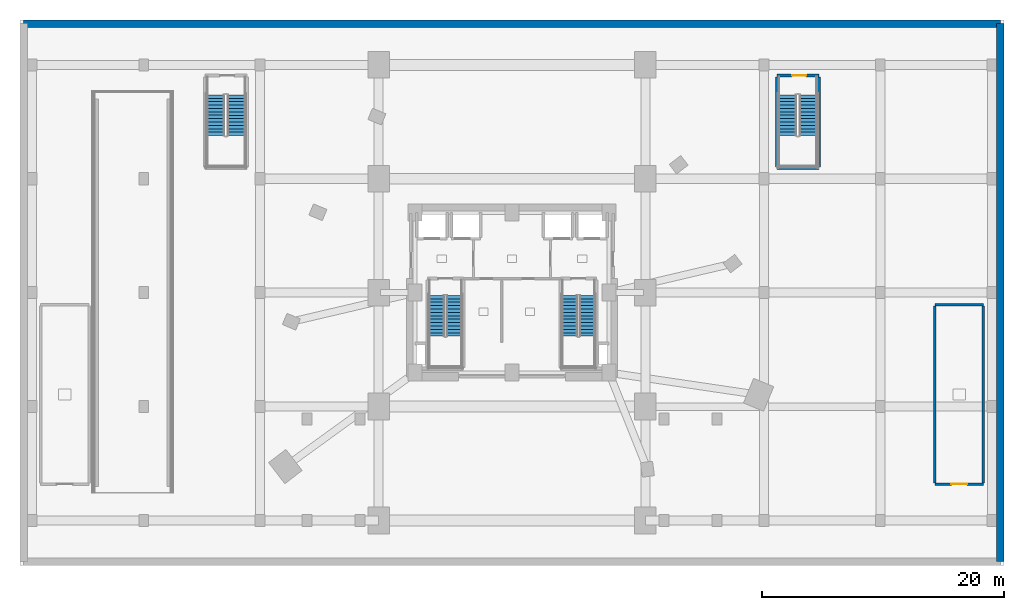
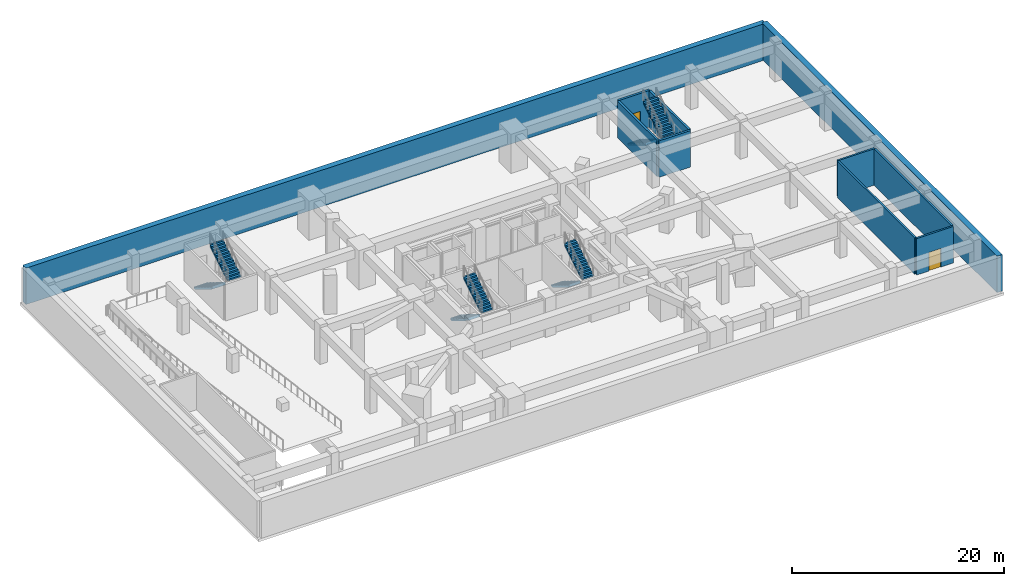
# One storey, part 4 of 9: 10 walls, 8 stair flights, 2 doors, 2 openings, 4 elements without a shape of their own.
"""IFC4 building model written with IfcOpenShell, lengths in metres."""

import ifcopenshell
import ifcopenshell.guid

model = None  # the IFC model being written
_history = None  # IfcOwnerHistory: only IFC2X3 demands one
_inside = {}  # id of a spatial element -> (the spatial element, [elements in it])
_under = {}  # id of a project, library or spatial element -> (it, [spatial elements below it])
_declared = {}  # id of a project -> (the project, [libraries it declares])
_typed = {}  # id of a type object -> (the type object, [elements of that type])
_made_of = {}  # id of a material, layer set ... -> (it, [elements and type objects made of it])


def new_model(schema):
    """Start an empty IFC model of exactly this schema.

    Asked for "IFC4X3", IfcOpenShell would pick the latest addendum, in which some entities
    have other attributes; the version numbers below select the first issue.
    IFC2X3 requires an IfcOwnerHistory on every rooted entity: one is made here for all.
    """
    global model, _history
    if schema == "IFC4X3":
        model = ifcopenshell.file(schema_version=(4, 3, 0, 0))
    else:
        model = ifcopenshell.file(schema=schema)
    _inside.clear()
    _under.clear()
    _declared.clear()
    _typed.clear()
    _made_of.clear()
    _history = None
    if model.schema == "IFC2X3":
        org = make("IfcOrganization", Name="unknown")
        user = make(
            "IfcPersonAndOrganization",
            ThePerson=make("IfcPerson", FamilyName="unknown"),
            TheOrganization=org,
        )
        app = make(
            "IfcApplication",
            ApplicationDeveloper=org,
            Version="unknown",
            ApplicationFullName="unknown",
            ApplicationIdentifier="unknown",
        )
        _history = make(
            "IfcOwnerHistory",
            OwningUser=user,
            OwningApplication=app,
            ChangeAction="ADDED",
            CreationDate=0,
        )
    return model


def make(cls, **values):
    """One entity of the class cls with the attributes given. An attribute that is None is left unset."""
    return model.create_entity(
        cls, **{name: value for name, value in values.items() if value is not None}
    )


def rooted(cls, **values):
    """An entity with a GlobalId (a new one), such as an element, a storey or a relation."""
    return make(cls, GlobalId=ifcopenshell.guid.new(), OwnerHistory=_history, **values)


def si_unit(unit_type, name, prefix=None):
    """IfcSIUnit, for example si_unit("LENGTHUNIT", "METRE", prefix="MILLI")."""
    return make("IfcSIUnit", UnitType=unit_type, Prefix=prefix, Name=name)


def assignment(units):
    """IfcUnitAssignment: the units of a project."""
    return None if units is None else make("IfcUnitAssignment", Units=units)


def point(xyz):
    """IfcCartesianPoint."""
    return None if xyz is None else make("IfcCartesianPoint", Coordinates=xyz)


def direction(xyz):
    """IfcDirection."""
    return None if xyz is None else make("IfcDirection", DirectionRatios=xyz)


def frame(location, z_axis=None, x_axis=None):
    """IfcAxis2Placement3D, a coordinate frame: its origin and axes. An axis left out is left unset."""
    return make(
        "IfcAxis2Placement3D",
        Location=point(location),
        Axis=direction(z_axis),
        RefDirection=direction(x_axis),
    )


def frame_2d(location, x_axis=None):
    """IfcAxis2Placement2D, a coordinate frame in the plane: its origin and x axis."""
    return make(
        "IfcAxis2Placement2D", Location=point(location), RefDirection=direction(x_axis)
    )


def origin():
    """The frame at (0, 0, 0) with its axes left unset."""
    return frame((0.0, 0.0, 0.0))


def place(relative_to, where):
    """IfcLocalPlacement: puts the frame where relative to a parent placement (None: the world)."""
    return make(
        "IfcLocalPlacement", PlacementRelTo=relative_to, RelativePlacement=where
    )


def context(
    kind, dimensions, precision=None, world=None, true_north=None, identifier=None
):
    """IfcGeometricRepresentationContext, for example the 3D "Model" context."""
    return make(
        "IfcGeometricRepresentationContext",
        ContextIdentifier=identifier,
        ContextType=kind,
        CoordinateSpaceDimension=dimensions,
        Precision=precision,
        WorldCoordinateSystem=world,
        TrueNorth=true_north,
    )


def subcontext(parent, identifier, kind, view, scale=None):
    """IfcGeometricRepresentationSubContext, for example "Body" below "Model"."""
    return make(
        "IfcGeometricRepresentationSubContext",
        ContextIdentifier=identifier,
        ContextType=kind,
        ParentContext=parent,
        TargetScale=scale,
        TargetView=view,
    )


def project(units=None, contexts=None):
    """IfcProject with its units and contexts."""
    return rooted(
        "IfcProject",
        Name="project",
        RepresentationContexts=contexts,
        UnitsInContext=assignment(units),
    )


def spatial(cls, under=None, at=None, **own):
    """A site, building, storey or space (cls), placed at a placement, below another one or the project."""
    s = rooted(cls, ObjectPlacement=at, **own)
    if under is not None:
        _under.setdefault(under.id(), (under, []))[1].append(s)
    return s


def polyline(points):
    """IfcPolyline through the points."""
    return make("IfcPolyline", Points=[point(p) for p in points])


def profile(cls, at=None, kind="AREA", **sizes):
    """A parametric profile (cls). Its sizes go by their IFC names, for example OverallWidth=200.0."""
    return make(cls, ProfileType=kind, Position=at, **sizes)


def rectangle(**sizes):
    """IfcRectangleProfileDef."""
    return profile("IfcRectangleProfileDef", **sizes)


def outline(outer, holes=None, kind="AREA"):
    """IfcArbitraryClosedProfileDef: a profile drawn as a closed curve; with holes, ...WithVoids."""
    if holes is None:
        return make("IfcArbitraryClosedProfileDef", ProfileType=kind, OuterCurve=outer)
    return make(
        "IfcArbitraryProfileDefWithVoids",
        ProfileType=kind,
        OuterCurve=outer,
        InnerCurves=holes,
    )


def extrude(swept, where, along, depth):
    """IfcExtrudedAreaSolid: the profile swept, set in the frame where, extruded along a direction by depth."""
    return make(
        "IfcExtrudedAreaSolid",
        SweptArea=swept,
        Position=where,
        ExtrudedDirection=direction(along),
        Depth=depth,
    )


def shape(context_of_items, identifier, shape_type, items):
    """IfcShapeRepresentation: the items that make up one representation, for example the "Body"."""
    return make(
        "IfcShapeRepresentation",
        ContextOfItems=context_of_items,
        RepresentationIdentifier=identifier,
        RepresentationType=shape_type,
        Items=items,
    )


def material(Name=None, Category=None):
    """IfcMaterial."""
    return make("IfcMaterial", Name=Name, Category=Category)


def layer(
    of_material, thickness, ventilated=None, Name=None, Category=None, Priority=None
):
    """IfcMaterialLayer: one layer of a wall or slab, of a material (None: an air gap)."""
    return make(
        "IfcMaterialLayer",
        Material=of_material,
        LayerThickness=thickness,
        IsVentilated=ventilated,
        Name=Name,
        Category=Category,
        Priority=Priority,
    )


def layer_set(layers, Name=None):
    """IfcMaterialLayerSet."""
    return make("IfcMaterialLayerSet", MaterialLayers=layers, LayerSetName=Name)


def made_of(thing, what):
    """Note that an element or type object is made of a material, layer set ...; save() writes the relation."""
    if what is not None:
        _made_of.setdefault(what.id(), (what, []))[1].append(thing)
    return thing


def type_object(cls, material=None, **own):
    """A type object (cls), such as IfcWallType, which elements share."""
    return made_of(rooted(cls, **own), material)


def element(
    cls,
    number,
    at=None,
    inside=None,
    cuts=None,
    type_object=None,
    material=None,
    context=None,
    identifier="Body",
    shape_type=None,
    held_by="IfcProductDefinitionShape",
    body=None,
    shapes=None,
    **own,
):
    """One element of the class cls, such as IfcWall. Its Tag is "e" and its number.

    at: its placement. inside: the storey or other place that contains it. cuts: it is an
    opening in that element (IfcRelVoidsElement). A single representation is given by context,
    identifier, shape_type and body (its items); several are given by shapes. held_by: the class
    of the entity that holds the representations. save() writes the other relations.
    """
    e = rooted(cls, Tag="e%d" % number, ObjectPlacement=at, **own)
    if body is not None:
        shapes = [shape(context, identifier, shape_type, body)]
    if shapes is not None:
        e.Representation = make(held_by, Representations=shapes)
    if inside is not None:
        _inside.setdefault(inside.id(), (inside, []))[1].append(e)
    if cuts is not None:
        rooted(
            "IfcRelVoidsElement", RelatingBuildingElement=cuts, RelatedOpeningElement=e
        )
    if type_object is not None:
        _typed.setdefault(type_object.id(), (type_object, []))[1].append(e)
    return made_of(e, material)


def fill(opening, filler):
    """IfcRelFillsElement: the door or window that sits in an opening."""
    return rooted(
        "IfcRelFillsElement",
        RelatingOpeningElement=opening,
        RelatedBuildingElement=filler,
    )


def aggregate(whole, parts):
    """IfcRelAggregates: a whole, such as a stair, and the parts it consists of."""
    return rooted("IfcRelAggregates", RelatingObject=whole, RelatedObjects=parts)


def save(model, path):
    """Write the relations noted so far, then the file.

    IfcRelAggregates (storeys below a building ...), IfcRelContainedInSpatialStructure (elements
    in a storey), IfcRelDefinesByType, IfcRelAssociatesMaterial and IfcRelDeclares: one each for
    every whole, place, type object, material and project.
    """
    for whole, parts in _under.values():
        aggregate(whole, parts)
    for where, things in _inside.values():
        rooted(
            "IfcRelContainedInSpatialStructure",
            RelatedElements=things,
            RelatingStructure=where,
        )
    for kind, things in _typed.values():
        rooted("IfcRelDefinesByType", RelatedObjects=things, RelatingType=kind)
    for what, things in _made_of.values():
        rooted("IfcRelAssociatesMaterial", RelatedObjects=things, RelatingMaterial=what)
    for by, libraries in _declared.values():
        rooted("IfcRelDeclares", RelatingContext=by, RelatedDefinitions=libraries)
    model.write(path)


model = new_model("IFC4")

# Units and contexts
model_context = context("Model", 3, precision=1e-05, world=origin(), true_north=direction((0.0, 1.0)))
body_context = subcontext(model_context, "Body", "Model", "MODEL_VIEW")
ifc_project = project(units=[si_unit("LENGTHUNIT", "METRE"), si_unit("AREAUNIT", "SQUARE_METRE"), si_unit("VOLUMEUNIT", "CUBIC_METRE"), si_unit("PLANEANGLEUNIT", "RADIAN"), si_unit("MASSUNIT", "GRAM", prefix="KILO")], contexts=[model_context])

# Site, building, storey
site_placement = place(None, origin())
site = spatial("IfcSite", under=ifc_project, at=site_placement, CompositionType="ELEMENT")
building_placement = place(site_placement, origin())
building = spatial("IfcBuilding", under=site, at=building_placement, Name="Ndelora Gate Hotel", CompositionType="ELEMENT")
storey_placement = place(building_placement, frame((0.0, 0.0, -9.0)))
storey = spatial("IfcBuildingStorey", under=building, at=storey_placement, Name="B02", CompositionType="ELEMENT", Elevation=-9.0)

# Wall
ifc_material_1 = material(Name="Concrete C40/50", Category="concrete")
ifc_layer_1 = layer(ifc_material_1, 0.199951171875)
ifc_layer_set_1 = layer_set([ifc_layer_1], Name="Concrete C40/50")
wall_type_1 = type_object("IfcWallType", Name="WL-FIRE-200", PredefinedType="PARTITIONING", material=ifc_layer_set_1)
wall_1_placement = place(storey_placement, frame((34.89990234375, -1.0, 0.0), z_axis=(0.0, 0.0, 1.0), x_axis=(1.0, 0.0, 0.0)))
element("IfcWall", 1, at=wall_1_placement, inside=storey, type_object=wall_type_1, Name="B02 Interior Wall IW-2", PredefinedType="PARTITIONING", context=body_context, shape_type="SweptSolid", body=[
    extrude(rectangle(XDim=4.0, YDim=0.199951171875, at=frame_2d((2.0, 0.0))), origin(), (0.0, 0.0, 1.0), 4.199951171875),
])

# Wall, opening, door
wall_2_placement = place(storey_placement, frame((34.89990234375, -15.800048828125, 0.0), z_axis=(0.0, 0.0, 1.0), x_axis=(1.0, 0.0, 0.0)))
wall_2 = element("IfcWall", 2, at=wall_2_placement, inside=storey, type_object=wall_type_1, Name="B02 Interior Wall IW-2", PredefinedType="PARTITIONING", context=body_context, shape_type="SweptSolid", body=[
    extrude(rectangle(XDim=4.0, YDim=0.199951171875, at=frame_2d((2.0, 0.0))), origin(), (0.0, 0.0, 1.0), 4.199951171875),
])
opening_1_placement = place(wall_2_placement, frame((1.35009765625, 0.0, 0.0)))
opening_1 = element("IfcOpeningElement", 3, at=opening_1_placement, cuts=wall_2, Name="Opening FD3", PredefinedType="OPENING", context=body_context, shape_type="SweptSolid", body=[
    extrude(rectangle(XDim=1.300048828125, YDim=2.14990234375, at=frame_2d((0.64990234375, 1.074951171875))), frame((0.0, 0.10986328125, 0.0), z_axis=(0.0, -1.0, 0.0), x_axis=(1.0, 0.0, 0.0)), (0.0, 0.0, 1.0), 0.219970703125),
])
ifc_material_2 = material(Name="Insulated Steel Plant Room Fire Door", Category="steel")
door_type_1 = type_object("IfcDoorType", Name="DR-PLT-1300", OperationType="SINGLE_SWING_LEFT", PredefinedType="DOOR", material=ifc_material_2)
door_1_placement = place(opening_1_placement, origin())
door_1 = element("IfcDoor", 4, at=door_1_placement, inside=storey, type_object=door_type_1, Name="B02 Staff Lockers and Uniform Store Door", OperationType="SINGLE_SWING_RIGHT", OverallHeight=2.14990234375, OverallWidth=1.300048828125, PredefinedType="DOOR", context=body_context, shape_type="SweptSolid", body=[
    extrude(rectangle(XDim=1.300048828125, YDim=2.14990234375, at=frame_2d((0.64990234375, 1.074951171875))), frame((0.0, 0.02490234375, 0.0), z_axis=(0.0, -1.0, 0.0), x_axis=(1.0, 0.0, 0.0)), (0.0, 0.0, 1.0), 0.050048828125),
])
fill(opening_1, door_1)

# Walls
for number, where, z_axis, x_axis, name in (
    (5, (34.89990234375, -1.110107421875, 0.0), (0.0, 0.0, 1.0), (0.0, -1.0, 0.0), "B02 Interior Wall IW-2"),
    (6, (38.89990234375, -15.68994140625, 0.0), (0.0, 0.0, 1.0), (0.0, 1.0, 0.0), "B02 Interior Wall IW-2"),
):
    element("IfcWall", number, at=place(storey_placement, frame(where, z_axis=z_axis, x_axis=x_axis)), inside=storey, type_object=wall_type_1, Name=name, PredefinedType="PARTITIONING", context=body_context, shape_type="SweptSolid", body=[
        extrude(rectangle(XDim=14.579833984375, YDim=0.199951171875, at=frame_2d((7.2900390625, 0.0))), origin(), (0.0, 0.0, 1.0), 4.199951171875),
    ])
ifc_layer_2 = layer(ifc_material_1, 0.60009765625)
ifc_layer_set_2 = layer_set([ifc_layer_2], Name="Concrete C40/50")
wall_type_2 = type_object("IfcWallType", Name="WL-RET-600", PredefinedType="SOLIDWALL", material=ifc_layer_set_2)
wall_3_placement = place(storey_placement, frame((40.300048828125, -22.199951171875, 0.0), z_axis=(0.0, 0.0, 1.0), x_axis=(0.0, 1.0, 0.0)))
element("IfcWall", 7, at=wall_3_placement, inside=storey, type_object=wall_type_2, Name="B02 Perimeter Retaining Wall RW-1 (2)", PredefinedType="SOLIDWALL", context=body_context, shape_type="SweptSolid", body=[
    extrude(rectangle(XDim=44.39990234375, YDim=0.60009765625, at=frame_2d((22.199951171875, 0.0))), origin(), (0.0, 0.0, 1.0), 4.199951171875),
])
wall_4_placement = place(storey_placement, frame((40.300048828125, 22.199951171875, 0.0), z_axis=(0.0, 0.0, 1.0), x_axis=(-1.0, 0.0, 0.0)))
element("IfcWall", 8, at=wall_4_placement, inside=storey, type_object=wall_type_2, Name="B02 Perimeter Retaining Wall RW-1 (3)", PredefinedType="SOLIDWALL", context=body_context, shape_type="SweptSolid", body=[
    extrude(rectangle(XDim=80.60009765625, YDim=0.60009765625, at=frame_2d((40.300048828125, 0.0))), origin(), (0.0, 0.0, 1.0), 4.199951171875),
])
ifc_material_3 = material(Name="Concrete C50/60", Category="concrete")
ifc_layer_3 = layer(ifc_material_3, 0.239990234375)
ifc_layer_set_3 = layer_set([ifc_layer_3], Name="Concrete C50/60")
wall_type_3 = type_object("IfcWallType", Name="WL-STAIR-240", PredefinedType="SHEAR", material=ifc_layer_set_3)
for number, where, z_axis, x_axis, name in (
    (9, (21.8798828125, 10.389892578125, 0.0), (0.0, 0.0, 1.0), (0.0, 1.0, 0.0), "B02 Stair Core Shear Wall SW-ST"),
    (10, (25.320068359375, 10.389892578125, 0.0), (0.0, 0.0, 1.0), (0.0, 1.0, 0.0), "B02 Stair Core Shear Wall SW-ST"),
):
    element("IfcWall", number, at=place(storey_placement, frame(where, z_axis=z_axis, x_axis=x_axis)), inside=storey, type_object=wall_type_3, Name=name, PredefinedType="SHEAR", context=body_context, shape_type="SweptSolid", body=[
        extrude(rectangle(XDim=7.420166015625, YDim=0.239990234375, at=frame_2d((3.7099609375, 0.0))), origin(), (0.0, 0.0, 1.0), 4.199951171875),
    ])
wall_5_placement = place(storey_placement, frame((21.8798828125, 10.280029296875, 0.0), z_axis=(0.0, 0.0, 1.0), x_axis=(1.0, 0.0, 0.0)))
element("IfcWall", 11, at=wall_5_placement, inside=storey, type_object=wall_type_3, Name="B02 Stair Core Shear Wall SW-ST", PredefinedType="SHEAR", context=body_context, shape_type="SweptSolid", body=[
    extrude(rectangle(XDim=3.440185546875, YDim=0.239990234375, at=frame_2d((1.72021484375, 0.0))), origin(), (0.0, 0.0, 1.0), 4.199951171875),
])

# Wall, opening, door
wall_6_placement = place(storey_placement, frame((25.320068359375, 17.919921875, 0.0), z_axis=(0.0, 0.0, 1.0), x_axis=(-1.0, 0.0, 0.0)))
wall_6 = element("IfcWall", 12, at=wall_6_placement, inside=storey, type_object=wall_type_3, Name="B02 Stair Core Shear Wall SW-ST", PredefinedType="SHEAR", context=body_context, shape_type="SweptSolid", body=[
    extrude(rectangle(XDim=3.440185546875, YDim=0.239990234375, at=frame_2d((1.72021484375, 0.0))), origin(), (0.0, 0.0, 1.0), 4.199951171875),
])
opening_2_placement = place(wall_6_placement, frame((1.050048828125, 0.0, 0.0)))
opening_2 = element("IfcOpeningElement", 13, at=opening_2_placement, cuts=wall_6, Name="Opening FD1", PredefinedType="OPENING", context=body_context, shape_type="SweptSolid", body=[
    extrude(rectangle(XDim=1.14990234375, YDim=2.14990234375, at=frame_2d((0.574951171875, 1.074951171875))), frame((0.0, 0.1298828125, 0.0), z_axis=(0.0, -1.0, 0.0), x_axis=(1.0, 0.0, 0.0)), (0.0, 0.0, 1.0), 0.260009765625),
])
ifc_material_4 = material(Name="Fire-Rated Timber-Veneer Steel Core", Category="steel")
door_type_2 = type_object("IfcDoorType", Name="DR-FD60", OperationType="SINGLE_SWING_LEFT", PredefinedType="DOOR", material=ifc_material_4)
door_2_placement = place(opening_2_placement, origin())
door_2 = element("IfcDoor", 14, at=door_2_placement, inside=storey, type_object=door_type_2, Name="B02 Escape Stair ST2 Door", OperationType="SINGLE_SWING_LEFT", OverallHeight=2.14990234375, OverallWidth=1.14990234375, PredefinedType="DOOR", context=body_context, shape_type="SweptSolid", body=[
    extrude(rectangle(XDim=1.14990234375, YDim=2.14990234375, at=frame_2d((0.574951171875, 1.074951171875))), frame((0.0, 0.02490234375, 0.0), z_axis=(0.0, -1.0, 0.0), x_axis=(1.0, 0.0, 0.0)), (0.0, 0.0, 1.0), 0.050048828125),
])
fill(opening_2, door_2)

# Stair, stair flights
ifc_material_5 = material(Name="Precast concrete C40/50", Category="concrete")
stair_type = type_object("IfcStairType", Name="STR-DOG-CORE", PredefinedType="HALF_TURN_STAIR", material=ifc_material_5)
stair_1_placement = place(storey_placement, origin())
stair_1 = element("IfcStair", 15, at=stair_1_placement, inside=storey, type_object=stair_type, Name="B02 Protected Core Exit Stair ST4", PredefinedType="HALF_TURN_STAIR")
stair_flight_type = type_object("IfcStairFlightType", Name="STF-PRECAST", PredefinedType="STRAIGHT", material=ifc_material_5)
stair_flight_1_placement = place(storey_placement, frame((-6.2099609375, -0.22998046875, 0.0), z_axis=(0.0, 0.0, 1.0), x_axis=(0.0, -1.0, 0.0)))
stair_flight_1 = element("IfcStairFlight", 16, at=stair_flight_1_placement, type_object=stair_flight_type, Name="ST4 flight 1", NumberOfRisers=13, NumberOfTreads=12, PredefinedType="STRAIGHT", RiserHeight=0.173076923, TreadLength=0.28, context=body_context, shape_type="SweptSolid", body=[
    extrude(outline(polyline([(-0.00048828125, 0.0), (-0.00048828125, 0.173095703125), (0.0, 0.173095703125), (0.280029296875, 0.173095703125), (0.280029296875, 0.34619140625), (0.56005859375, 0.34619140625), (0.56005859375, 0.519287109375), (0.840087890625, 0.519287109375), (0.840087890625, 0.6923828125), (1.1201171875, 0.6923828125), (1.1201171875, 0.865478515625), (1.39990234375, 0.865478515625), (1.39990234375, 1.03857421875), (1.679931640625, 1.03857421875), (1.679931640625, 1.21142578125), (1.9599609375, 1.21142578125), (1.9599609375, 1.384521484375), (2.239990234375, 1.384521484375), (2.239990234375, 1.5576171875), (2.52001953125, 1.5576171875), (2.52001953125, 1.730712890625), (2.800048828125, 1.730712890625), (2.800048828125, 1.90380859375), (3.080078125, 1.90380859375), (3.080078125, 2.076904296875), (3.360107421875, 2.076904296875), (3.360107421875, 2.25), (3.360595703125, 2.25), (3.360595703125, 2.070068359375), (3.360107421875, 1.900634765625), (0.28515625, 0.0), (-0.00048828125, 0.0)])), frame((0.0, 0.64013671875, 0.0), z_axis=(0.0, -1.0, 0.0), x_axis=(1.0, 0.0, 0.0)), (0.0, 0.0, 1.0), 1.280029296875),
])
stair_flight_2_placement = place(storey_placement, frame((-4.77001953125, -3.590087890625, 2.25), z_axis=(0.0, 0.0, 1.0), x_axis=(0.0, 1.0, 0.0)))
stair_flight_2 = element("IfcStairFlight", 17, at=stair_flight_2_placement, type_object=stair_flight_type, Name="ST4 flight 2", NumberOfRisers=13, NumberOfTreads=12, PredefinedType="STRAIGHT", RiserHeight=0.173076923, TreadLength=0.28, context=body_context, shape_type="SweptSolid", body=[
    extrude(outline(polyline([(-0.00048828125, 0.0), (-0.00048828125, 0.173095703125), (0.0, 0.173095703125), (0.280029296875, 0.173095703125), (0.280029296875, 0.34619140625), (0.56005859375, 0.34619140625), (0.56005859375, 0.519287109375), (0.840087890625, 0.519287109375), (0.840087890625, 0.6923828125), (1.1201171875, 0.6923828125), (1.1201171875, 0.865478515625), (1.39990234375, 0.865478515625), (1.39990234375, 1.03857421875), (1.679931640625, 1.03857421875), (1.679931640625, 1.21142578125), (1.9599609375, 1.21142578125), (1.9599609375, 1.384521484375), (2.239990234375, 1.384521484375), (2.239990234375, 1.5576171875), (2.52001953125, 1.5576171875), (2.52001953125, 1.730712890625), (2.800048828125, 1.730712890625), (2.800048828125, 1.90380859375), (3.080078125, 1.90380859375), (3.080078125, 2.076904296875), (3.360107421875, 2.076904296875), (3.360107421875, 2.25), (3.360595703125, 2.25), (3.360595703125, 2.070068359375), (3.360107421875, 1.900634765625), (0.28515625, 0.0), (-0.00048828125, 0.0)])), frame((0.0, 0.64013671875, 0.0), z_axis=(0.0, -1.0, 0.0), x_axis=(1.0, 0.0, 0.0)), (0.0, 0.0, 1.0), 1.280029296875),
])
aggregate(stair_1, [stair_flight_1, stair_flight_2])

stair_2_placement = place(storey_placement, origin())
stair_2 = element("IfcStair", 18, at=stair_2_placement, inside=storey, type_object=stair_type, Name="B02 Protected Core Exit Stair ST5", PredefinedType="HALF_TURN_STAIR")
stair_flight_3_placement = place(storey_placement, frame((4.77001953125, -0.22998046875, 0.0), z_axis=(0.0, 0.0, 1.0), x_axis=(0.0, -1.0, 0.0)))
stair_flight_3 = element("IfcStairFlight", 19, at=stair_flight_3_placement, type_object=stair_flight_type, Name="ST5 flight 1", NumberOfRisers=13, NumberOfTreads=12, PredefinedType="STRAIGHT", RiserHeight=0.173076923, TreadLength=0.28, context=body_context, shape_type="SweptSolid", body=[
    extrude(outline(polyline([(-0.00048828125, 0.0), (-0.00048828125, 0.173095703125), (0.0, 0.173095703125), (0.280029296875, 0.173095703125), (0.280029296875, 0.34619140625), (0.56005859375, 0.34619140625), (0.56005859375, 0.519287109375), (0.840087890625, 0.519287109375), (0.840087890625, 0.6923828125), (1.1201171875, 0.6923828125), (1.1201171875, 0.865478515625), (1.39990234375, 0.865478515625), (1.39990234375, 1.03857421875), (1.679931640625, 1.03857421875), (1.679931640625, 1.21142578125), (1.9599609375, 1.21142578125), (1.9599609375, 1.384521484375), (2.239990234375, 1.384521484375), (2.239990234375, 1.5576171875), (2.52001953125, 1.5576171875), (2.52001953125, 1.730712890625), (2.800048828125, 1.730712890625), (2.800048828125, 1.90380859375), (3.080078125, 1.90380859375), (3.080078125, 2.076904296875), (3.360107421875, 2.076904296875), (3.360107421875, 2.25), (3.360595703125, 2.25), (3.360595703125, 2.070068359375), (3.360107421875, 1.900634765625), (0.28515625, 0.0), (-0.00048828125, 0.0)])), frame((0.0, 0.64013671875, 0.0), z_axis=(0.0, -1.0, 0.0), x_axis=(1.0, 0.0, 0.0)), (0.0, 0.0, 1.0), 1.280029296875),
])
stair_flight_4_placement = place(storey_placement, frame((6.2099609375, -3.590087890625, 2.25), z_axis=(0.0, 0.0, 1.0), x_axis=(0.0, 1.0, 0.0)))
stair_flight_4 = element("IfcStairFlight", 20, at=stair_flight_4_placement, type_object=stair_flight_type, Name="ST5 flight 2", NumberOfRisers=13, NumberOfTreads=12, PredefinedType="STRAIGHT", RiserHeight=0.173076923, TreadLength=0.28, context=body_context, shape_type="SweptSolid", body=[
    extrude(outline(polyline([(-0.00048828125, 0.0), (-0.00048828125, 0.173095703125), (0.0, 0.173095703125), (0.280029296875, 0.173095703125), (0.280029296875, 0.34619140625), (0.56005859375, 0.34619140625), (0.56005859375, 0.519287109375), (0.840087890625, 0.519287109375), (0.840087890625, 0.6923828125), (1.1201171875, 0.6923828125), (1.1201171875, 0.865478515625), (1.39990234375, 0.865478515625), (1.39990234375, 1.03857421875), (1.679931640625, 1.03857421875), (1.679931640625, 1.21142578125), (1.9599609375, 1.21142578125), (1.9599609375, 1.384521484375), (2.239990234375, 1.384521484375), (2.239990234375, 1.5576171875), (2.52001953125, 1.5576171875), (2.52001953125, 1.730712890625), (2.800048828125, 1.730712890625), (2.800048828125, 1.90380859375), (3.080078125, 1.90380859375), (3.080078125, 2.076904296875), (3.360107421875, 2.076904296875), (3.360107421875, 2.25), (3.360595703125, 2.25), (3.360595703125, 2.070068359375), (3.360107421875, 1.900634765625), (0.28515625, 0.0), (-0.00048828125, 0.0)])), frame((0.0, 0.64013671875, 0.0), z_axis=(0.0, -1.0, 0.0), x_axis=(1.0, 0.0, 0.0)), (0.0, 0.0, 1.0), 1.280029296875),
])
aggregate(stair_2, [stair_flight_3, stair_flight_4])

stair_3_placement = place(storey_placement, origin())
stair_3 = element("IfcStair", 21, at=stair_3_placement, inside=storey, type_object=stair_type, Name="B02 Basement Escape Stair ST1", PredefinedType="HALF_TURN_STAIR")
stair_flight_5_placement = place(storey_placement, frame((-24.4599609375, 16.320068359375, 0.0), z_axis=(0.0, 0.0, 1.0), x_axis=(0.0, -1.0, 0.0)))
stair_flight_5 = element("IfcStairFlight", 22, at=stair_flight_5_placement, type_object=stair_flight_type, Name="ST1 flight 1", NumberOfRisers=13, NumberOfTreads=12, PredefinedType="STRAIGHT", RiserHeight=0.173076923, TreadLength=0.28, context=body_context, shape_type="SweptSolid", body=[
    extrude(outline(polyline([(-0.00048828125, 0.0), (-0.00048828125, 0.173095703125), (0.0, 0.173095703125), (0.280029296875, 0.173095703125), (0.280029296875, 0.34619140625), (0.56005859375, 0.34619140625), (0.56005859375, 0.519287109375), (0.840087890625, 0.519287109375), (0.840087890625, 0.6923828125), (1.1201171875, 0.6923828125), (1.1201171875, 0.865478515625), (1.39990234375, 0.865478515625), (1.39990234375, 1.03857421875), (1.679931640625, 1.03857421875), (1.679931640625, 1.21142578125), (1.9599609375, 1.21142578125), (1.9599609375, 1.384521484375), (2.239990234375, 1.384521484375), (2.239990234375, 1.5576171875), (2.52001953125, 1.5576171875), (2.52001953125, 1.730712890625), (2.800048828125, 1.730712890625), (2.800048828125, 1.90380859375), (3.080078125, 1.90380859375), (3.080078125, 2.076904296875), (3.360107421875, 2.076904296875), (3.360107421875, 2.25), (3.360595703125, 2.25), (3.360595703125, 2.070068359375), (3.360107421875, 1.900634765625), (0.28515625, 0.0), (-0.00048828125, 0.0)])), frame((0.0, 0.739990234375, 0.0), z_axis=(0.0, -1.0, 0.0), x_axis=(1.0, 0.0, 0.0)), (0.0, 0.0, 1.0), 1.47998046875),
])
stair_flight_6_placement = place(storey_placement, frame((-22.739990234375, 12.9599609375, 2.25), z_axis=(0.0, 0.0, 1.0), x_axis=(0.0, 1.0, 0.0)))
stair_flight_6 = element("IfcStairFlight", 23, at=stair_flight_6_placement, type_object=stair_flight_type, Name="ST1 flight 2", NumberOfRisers=13, NumberOfTreads=12, PredefinedType="STRAIGHT", RiserHeight=0.173076923, TreadLength=0.28, context=body_context, shape_type="SweptSolid", body=[
    extrude(outline(polyline([(-0.00048828125, 0.0), (-0.00048828125, 0.173095703125), (0.0, 0.173095703125), (0.280029296875, 0.173095703125), (0.280029296875, 0.34619140625), (0.56005859375, 0.34619140625), (0.56005859375, 0.519287109375), (0.840087890625, 0.519287109375), (0.840087890625, 0.6923828125), (1.1201171875, 0.6923828125), (1.1201171875, 0.865478515625), (1.39990234375, 0.865478515625), (1.39990234375, 1.03857421875), (1.679931640625, 1.03857421875), (1.679931640625, 1.21142578125), (1.9599609375, 1.21142578125), (1.9599609375, 1.384521484375), (2.239990234375, 1.384521484375), (2.239990234375, 1.5576171875), (2.52001953125, 1.5576171875), (2.52001953125, 1.730712890625), (2.800048828125, 1.730712890625), (2.800048828125, 1.90380859375), (3.080078125, 1.90380859375), (3.080078125, 2.076904296875), (3.360107421875, 2.076904296875), (3.360107421875, 2.25), (3.360595703125, 2.25), (3.360595703125, 2.070068359375), (3.360107421875, 1.900634765625), (0.28515625, 0.0), (-0.00048828125, 0.0)])), frame((0.0, 0.739990234375, 0.0), z_axis=(0.0, -1.0, 0.0), x_axis=(1.0, 0.0, 0.0)), (0.0, 0.0, 1.0), 1.47998046875),
])
aggregate(stair_3, [stair_flight_5, stair_flight_6])

stair_4_placement = place(storey_placement, origin())
stair_4 = element("IfcStair", 24, at=stair_4_placement, inside=storey, type_object=stair_type, Name="B02 Basement Escape Stair ST2", PredefinedType="HALF_TURN_STAIR")
stair_flight_7_placement = place(storey_placement, frame((22.739990234375, 16.320068359375, 0.0), z_axis=(0.0, 0.0, 1.0), x_axis=(0.0, -1.0, 0.0)))
stair_flight_7 = element("IfcStairFlight", 25, at=stair_flight_7_placement, type_object=stair_flight_type, Name="ST2 flight 1", NumberOfRisers=13, NumberOfTreads=12, PredefinedType="STRAIGHT", RiserHeight=0.173076923, TreadLength=0.28, context=body_context, shape_type="SweptSolid", body=[
    extrude(outline(polyline([(-0.00048828125, 0.0), (-0.00048828125, 0.173095703125), (0.0, 0.173095703125), (0.280029296875, 0.173095703125), (0.280029296875, 0.34619140625), (0.56005859375, 0.34619140625), (0.56005859375, 0.519287109375), (0.840087890625, 0.519287109375), (0.840087890625, 0.6923828125), (1.1201171875, 0.6923828125), (1.1201171875, 0.865478515625), (1.39990234375, 0.865478515625), (1.39990234375, 1.03857421875), (1.679931640625, 1.03857421875), (1.679931640625, 1.21142578125), (1.9599609375, 1.21142578125), (1.9599609375, 1.384521484375), (2.239990234375, 1.384521484375), (2.239990234375, 1.5576171875), (2.52001953125, 1.5576171875), (2.52001953125, 1.730712890625), (2.800048828125, 1.730712890625), (2.800048828125, 1.90380859375), (3.080078125, 1.90380859375), (3.080078125, 2.076904296875), (3.360107421875, 2.076904296875), (3.360107421875, 2.25), (3.360595703125, 2.25), (3.360595703125, 2.070068359375), (3.360107421875, 1.900634765625), (0.28515625, 0.0), (-0.00048828125, 0.0)])), frame((0.0, 0.739990234375, 0.0), z_axis=(0.0, -1.0, 0.0), x_axis=(1.0, 0.0, 0.0)), (0.0, 0.0, 1.0), 1.47998046875),
])
stair_flight_8_placement = place(storey_placement, frame((24.4599609375, 12.9599609375, 2.25), z_axis=(0.0, 0.0, 1.0), x_axis=(0.0, 1.0, 0.0)))
stair_flight_8 = element("IfcStairFlight", 26, at=stair_flight_8_placement, type_object=stair_flight_type, Name="ST2 flight 2", NumberOfRisers=13, NumberOfTreads=12, PredefinedType="STRAIGHT", RiserHeight=0.173076923, TreadLength=0.28, context=body_context, shape_type="SweptSolid", body=[
    extrude(outline(polyline([(-0.00048828125, 0.0), (-0.00048828125, 0.173095703125), (0.0, 0.173095703125), (0.280029296875, 0.173095703125), (0.280029296875, 0.34619140625), (0.56005859375, 0.34619140625), (0.56005859375, 0.519287109375), (0.840087890625, 0.519287109375), (0.840087890625, 0.6923828125), (1.1201171875, 0.6923828125), (1.1201171875, 0.865478515625), (1.39990234375, 0.865478515625), (1.39990234375, 1.03857421875), (1.679931640625, 1.03857421875), (1.679931640625, 1.21142578125), (1.9599609375, 1.21142578125), (1.9599609375, 1.384521484375), (2.239990234375, 1.384521484375), (2.239990234375, 1.5576171875), (2.52001953125, 1.5576171875), (2.52001953125, 1.730712890625), (2.800048828125, 1.730712890625), (2.800048828125, 1.90380859375), (3.080078125, 1.90380859375), (3.080078125, 2.076904296875), (3.360107421875, 2.076904296875), (3.360107421875, 2.25), (3.360595703125, 2.25), (3.360595703125, 2.070068359375), (3.360107421875, 1.900634765625), (0.28515625, 0.0), (-0.00048828125, 0.0)])), frame((0.0, 0.739990234375, 0.0), z_axis=(0.0, -1.0, 0.0), x_axis=(1.0, 0.0, 0.0)), (0.0, 0.0, 1.0), 1.47998046875),
])
aggregate(stair_4, [stair_flight_7, stair_flight_8])

save(model, "model.ifc")
